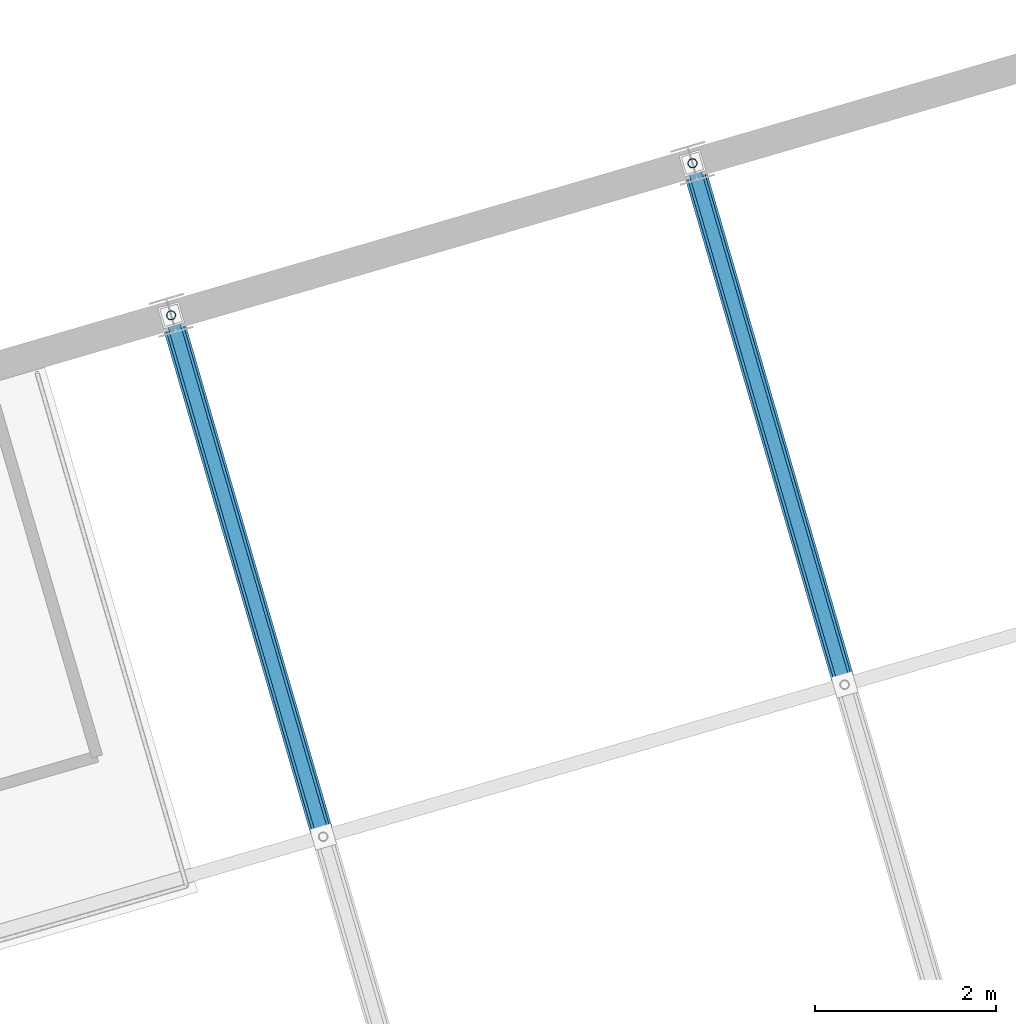
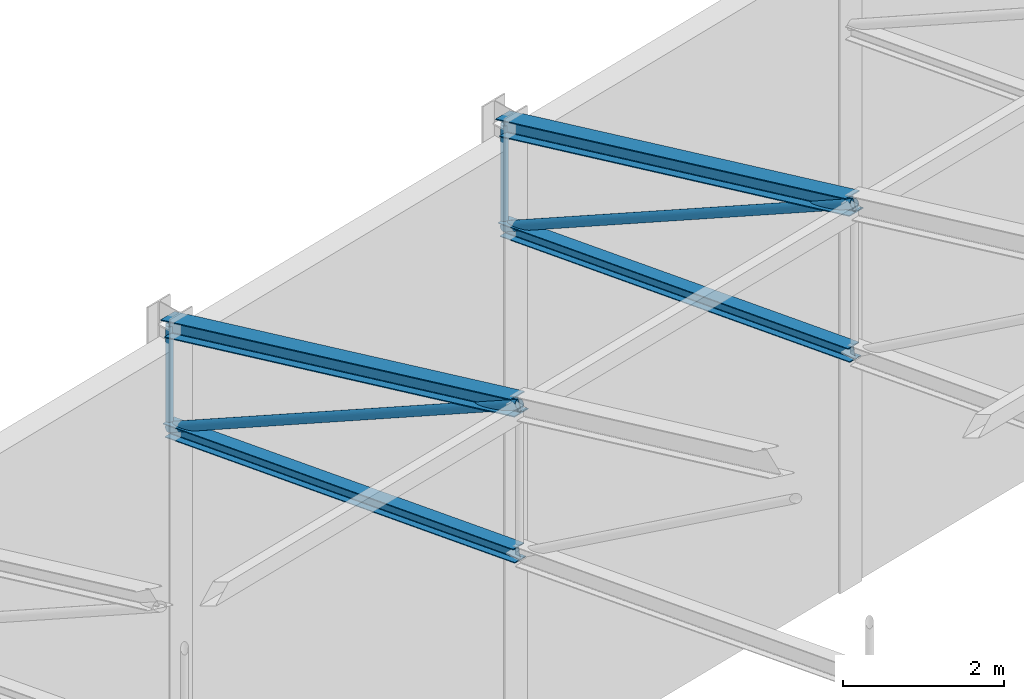
# One storey, part 180 of 248: 8 members.
"""IFC4 building model written with IfcOpenShell, lengths in metres."""

from ifc_helpers import new_model, si_unit, direction, frame, origin, origin_2d, place, context, subcontext, project, spatial, hollow_circle, i_section, extrude, material, material_profile, profile_set, type_object, element, save


model = new_model("IFC4")

# Units and contexts
model_context = context("Model", 3, precision=1e-05, world=origin(), true_north=direction((0.0, 1.0)))
body_context = subcontext(model_context, "Body", "Model", "MODEL_VIEW")
ifc_project = project(units=[si_unit("LENGTHUNIT", "METRE"), si_unit("AREAUNIT", "SQUARE_METRE"), si_unit("VOLUMEUNIT", "CUBIC_METRE"), si_unit("PLANEANGLEUNIT", "RADIAN"), si_unit("MASSUNIT", "GRAM", prefix="KILO")], contexts=[model_context])

# Site, building, storey
site_placement = place(None, origin())
site = spatial("IfcSite", under=ifc_project, at=site_placement, CompositionType="ELEMENT")
building_placement = place(site_placement, origin())
building = spatial("IfcBuilding", under=site, at=building_placement, Name="Canggui Botanical Conservatory", CompositionType="ELEMENT")
storey_placement = place(building_placement, frame((0.0, 0.0, 5.39990234375)))
storey = spatial("IfcBuildingStorey", under=building, at=storey_placement, Name="L02", CompositionType="ELEMENT", Elevation=5.39990234375)

# Members
ifc_material = material(Name="Steel Q355B", Category="steel")
ifc_material_profile_1 = material_profile(ifc_material, i_section(OverallWidth=0.25, OverallDepth=0.25, WebThickness=0.009033203125, FlangeThickness=0.013916015625, FilletRadius=0.01611328125, at=origin_2d()), Name="HW 250x250x9x14")
ifc_profile_set_1 = profile_set([ifc_material_profile_1], Name="Steel Q355B")
member_type_1 = type_object("IfcMemberType", Name="MEM-TC01", PredefinedType="CHORD", material=ifc_profile_set_1)
for number, where, z_axis, x_axis, name in (
    (1, (78.239990234375, 112.320068359375, 11.650146484375), (-0.269385502469, 0.923646586216, -0.272595735168), (-0.960003190047, -0.279989062464, 0.0), "Auditorium Truss AT-04 Top Chord 4"),
    (2, (84.0, 114.0, 11.650146484375), (-0.269385502469, 0.923646586216, -0.272595735168), (-0.960003190047, -0.279989062464, 0.0), "Auditorium Truss AT-05 Top Chord 4"),
):
    element("IfcMember", number, at=place(storey_placement, frame(where, z_axis=z_axis, x_axis=x_axis)), inside=storey, type_object=member_type_1, Name=name, PredefinedType="CHORD", context=body_context, shape_type="SweptSolid", body=[
        extrude(i_section(OverallWidth=0.25, OverallDepth=0.25, WebThickness=0.009033203125, FlangeThickness=0.013916015625, FilletRadius=0.01611328125, at=origin_2d()), origin(), (0.0, 0.0, 1.0), 6.236083984375),
    ])
ifc_material_profile_2 = material_profile(ifc_material, i_section(OverallWidth=0.199951171875, OverallDepth=0.199951171875, WebThickness=0.008056640625, FlangeThickness=0.011962890625, FilletRadius=0.012939453125, at=origin_2d()), Name="HW 200x200x8x12")
ifc_profile_set_2 = profile_set([ifc_material_profile_2], Name="Steel Q355B")
member_type_2 = type_object("IfcMemberType", Name="MEM-TC02", PredefinedType="CHORD", material=ifc_profile_set_2)
for number, where, z_axis, x_axis, name in (
    (3, (78.239990234375, 112.320068359375, 9.400146484375), (-0.276179497805, 0.946941271868, -0.16439924764), (-0.960003190047, -0.279989062464, 0.0), "Auditorium Truss AT-04 Bottom Chord 4"),
    (4, (84.0, 114.0, 9.400146484375), (-0.276179497805, 0.946941271868, -0.16439924764), (-0.960003190047, -0.279989062464, 0.0), "Auditorium Truss AT-05 Bottom Chord 4"),
):
    element("IfcMember", number, at=place(storey_placement, frame(where, z_axis=z_axis, x_axis=x_axis)), inside=storey, type_object=member_type_2, Name=name, PredefinedType="CHORD", context=body_context, shape_type="SweptSolid", body=[
        extrude(i_section(OverallWidth=0.199951171875, OverallDepth=0.199951171875, WebThickness=0.008056640625, FlangeThickness=0.011962890625, FilletRadius=0.012939453125, at=origin_2d()), origin(), (0.0, 0.0, 1.0), 6.082763671875),
    ])
ifc_material_profile_3 = material_profile(ifc_material, hollow_circle(Radius=0.070068359375, WallThickness=0.006103515625, at=origin_2d()), Name="CHS 140x6")
ifc_profile_set_3 = profile_set([ifc_material_profile_3], Name="Steel Q355B")
member_type_3 = type_object("IfcMemberType", Name="MEM-TW01", PredefinedType="BRACE", material=ifc_profile_set_3)
for number, where, z_axis, x_axis, name in (
    (5, (76.56005859375, 118.080078125, 8.400146484375), (0.246192042448, -0.844122781207, 0.476283747867), (0.960003190047, 0.279989062464, 0.0), "Auditorium Truss AT-04 Web Diagonal 4"),
    (6, (82.320068359375, 119.760009765625, 8.400146484375), (0.246192042448, -0.844122781207, 0.476283747867), (0.960003190047, 0.279989062464, 0.0), "Auditorium Truss AT-05 Web Diagonal 4"),
):
    element("IfcMember", number, at=place(storey_placement, frame(where, z_axis=z_axis, x_axis=x_axis)), inside=storey, type_object=member_type_3, Name=name, PredefinedType="BRACE", context=body_context, shape_type="SweptSolid", body=[
        extrude(hollow_circle(Radius=0.070068359375, WallThickness=0.006103515625, at=origin_2d()), origin(), (0.0, 0.0, 1.0), 6.82373046875),
    ])
ifc_material_profile_4 = material_profile(ifc_material, hollow_circle(Radius=0.051025390625, WallThickness=0.0048828125, at=origin_2d()), Name="CHS 102x5")
ifc_profile_set_4 = profile_set([ifc_material_profile_4], Name="Steel Q355B")
member_type_4 = type_object("IfcMemberType", Name="MEM-TW04", PredefinedType="BRACE", material=ifc_profile_set_4)
for number, where, z_axis, x_axis, name in (
    (7, (76.56005859375, 118.080078125, 8.400146484375), (0.0, 0.0, 1.0), (1.0, 0.0, 0.0), "Auditorium Truss AT-04 Vertical Post 5"),
    (8, (82.320068359375, 119.760009765625, 8.400146484375), (0.0, 0.0, 1.0), (1.0, 0.0, 0.0), "Auditorium Truss AT-05 Vertical Post 5"),
):
    element("IfcMember", number, at=place(storey_placement, frame(where, z_axis=z_axis, x_axis=x_axis)), inside=storey, type_object=member_type_4, Name=name, PredefinedType="BRACE", context=body_context, shape_type="SweptSolid", body=[
        extrude(hollow_circle(Radius=0.051025390625, WallThickness=0.0048828125, at=origin_2d()), origin(), (0.0, 0.0, 1.0), 1.550048828125),
    ])

save(model, "model.ifc")
